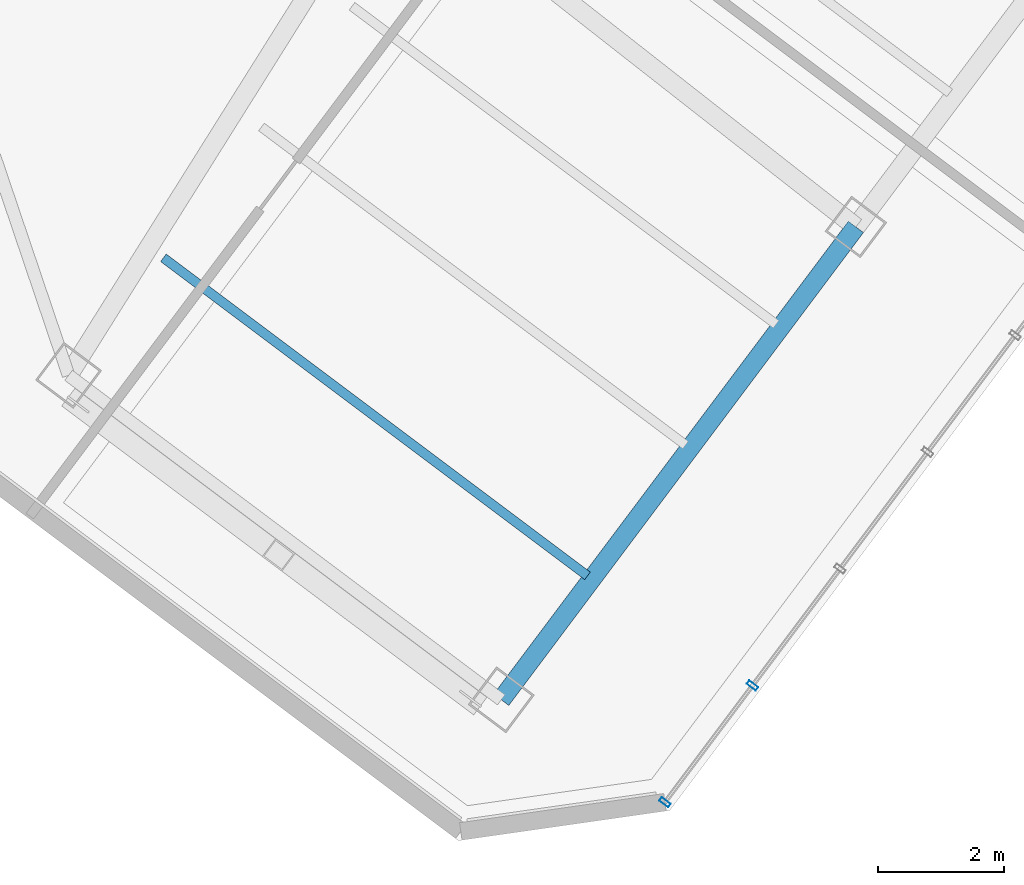
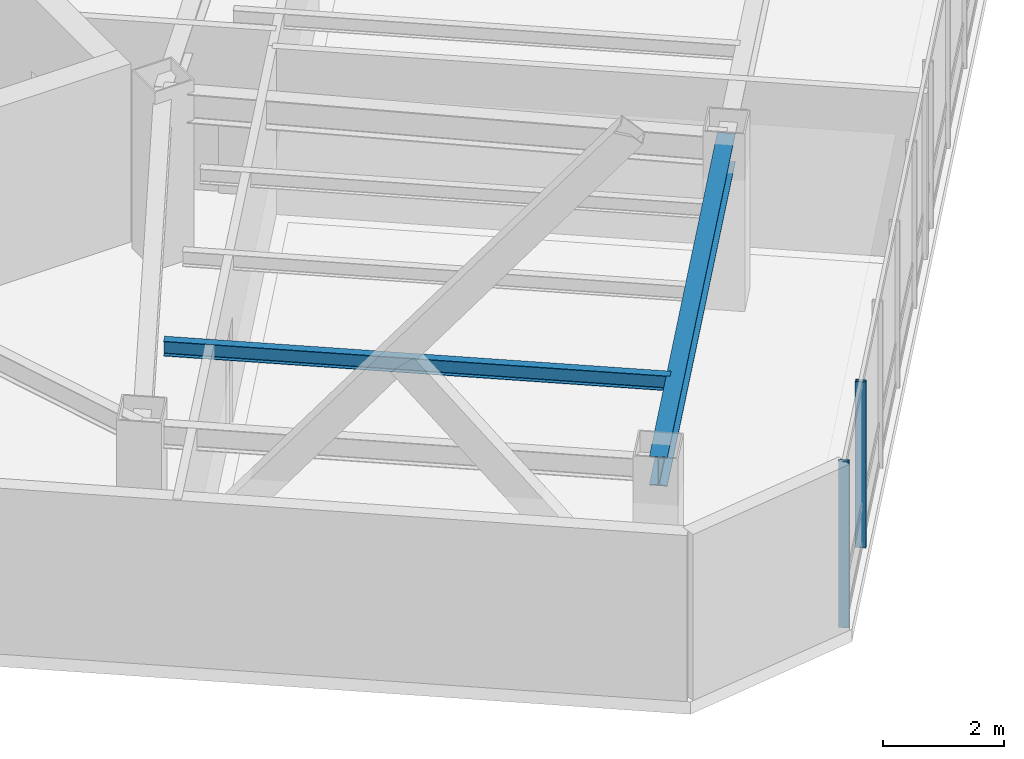
# One storey, part 2 of 24: 2 beams, 2 members, 1 element without a shape of its own.
"""IFC4 building model written with IfcOpenShell, lengths in metres."""

from ifc_helpers import new_model, si_unit, direction, frame, origin, origin_2d, place, context, subcontext, project, spatial, hollow_rectangle, i_section, extrude, material, layer, layer_set, material_profile, profile_set, type_object, element, aggregate, save


model = new_model("IFC4")

# Units and contexts
model_context = context("Model", 3, precision=1e-05, world=origin(), true_north=direction((0.0, 1.0)))
body_context = subcontext(model_context, "Body", "Model", "MODEL_VIEW")
ifc_project = project(units=[si_unit("LENGTHUNIT", "METRE"), si_unit("AREAUNIT", "SQUARE_METRE"), si_unit("VOLUMEUNIT", "CUBIC_METRE"), si_unit("PLANEANGLEUNIT", "RADIAN"), si_unit("MASSUNIT", "GRAM", prefix="KILO")], contexts=[model_context])

# Site, building, storey
site_placement = place(None, origin())
site = spatial("IfcSite", under=ifc_project, at=site_placement, CompositionType="ELEMENT")
building_placement = place(site_placement, origin())
building = spatial("IfcBuilding", under=site, at=building_placement, Name="Hatsunagi Terrace Concourse", CompositionType="ELEMENT")
storey_placement = place(building_placement, frame((0.0, 0.0, 202.35009765625)))
storey = spatial("IfcBuildingStorey", under=building, at=storey_placement, Name="L53", CompositionType="ELEMENT", Elevation=202.35009765625)

# Curtain wall, members
ifc_material_1 = material(Name="Anodised Aluminium Alloy 6063-T5", Category="aluminium")
ifc_layer = layer(ifc_material_1, 0.199951171875)
ifc_layer_set = layer_set([ifc_layer], Name="OfficeZone2_CW04")
curtain_wall_type = type_object("IfcCurtainWallType", Name="OfficeZone2_CW04", PredefinedType="NOTDEFINED", material=ifc_layer_set)
curtain_wall_placement = place(storey_placement, origin())
curtain_wall = element("IfcCurtainWall", 1, at=curtain_wall_placement, inside=storey, type_object=curtain_wall_type, Name="Unitised Curtain Wall CW-04 CW-L53-03", PredefinedType="NOTDEFINED")
ifc_material_2 = material(Name="Anodised Aluminium Alloy 6063-T5", Category="aluminium")
ifc_material_profile_1 = material_profile(ifc_material_2, hollow_rectangle(XDim=0.070068359375, YDim=0.179931640625, WallThickness=0.00390625, at=origin_2d()), Name="ALU-MUL-180x70x4")
ifc_profile_set_1 = profile_set([ifc_material_profile_1], Name="Anodised Aluminium Alloy 6063-T5")
member_type = type_object("IfcMemberType", Name="CurtainWallMullion_180x70", PredefinedType="MULLION", material=ifc_profile_set_1)
member_1_placement = place(storey_placement, frame((49.554931640625, 11.10595703125, 0.0), z_axis=(0.0, 0.0, 1.0), x_axis=(-0.599969314634, -0.800023013105, 0.0)))
member_1 = element("IfcMember", 2, at=member_1_placement, type_object=member_type, Name="Curtain Wall Mullion MUL-02", PredefinedType="MULLION", context=body_context, shape_type="SweptSolid", body=[
    extrude(hollow_rectangle(XDim=0.070068359375, YDim=0.179931640625, WallThickness=0.00390625, at=origin_2d()), origin(), (0.0, 0.0, 1.0), 3.349853515625),
])
member_2_placement = place(storey_placement, frame((48.1630859375, 9.25, 0.0), z_axis=(0.0, 0.0, 1.0), x_axis=(-0.599969314634, -0.800023013105, 0.0)))
member_2 = element("IfcMember", 3, at=member_2_placement, type_object=member_type, Name="Curtain Wall Mullion MUL-02", PredefinedType="MULLION", context=body_context, shape_type="SweptSolid", body=[
    extrude(hollow_rectangle(XDim=0.070068359375, YDim=0.179931640625, WallThickness=0.00390625, at=origin_2d()), origin(), (0.0, 0.0, 1.0), 3.349853515625),
])
aggregate(curtain_wall, [member_1, member_2])

# Beams
ifc_material_3 = material(Name="Steel SN490B", Category="steel")
ifc_material_profile_2 = material_profile(ifc_material_3, i_section(OverallWidth=0.300048828125, OverallDepth=0.587890625, WebThickness=0.011962890625, FlangeThickness=0.02001953125, FilletRadius=0.01806640625, at=origin_2d()), Name="H-588x300x12x20")
ifc_profile_set_2 = profile_set([ifc_material_profile_2], Name="Steel SN490B")
beam_type_1 = type_object("IfcBeamType", Name="OfficeHighGirder_H_588x300", PredefinedType="BEAM", material=ifc_profile_set_2)
beam_1_placement = place(storey_placement, frame((45.56005859375, 10.8798828125, 3.055908203125), z_axis=(0.599991688754, 0.800006233367, 0.0), x_axis=(-0.800006233367, 0.599991688754, 0.0)))
element("IfcBeam", 4, at=beam_1_placement, inside=storey, type_object=beam_type_1, Name="Beam G-06 BM-L53-SET-2A", PredefinedType="BEAM", context=body_context, shape_type="SweptSolid", body=[
    extrude(i_section(OverallWidth=0.300048828125, OverallDepth=0.587890625, WebThickness=0.011962890625, FlangeThickness=0.02001953125, FilletRadius=0.01806640625, at=origin_2d()), origin(), (0.0, 0.0, 1.0), 9.39990234375),
])
ifc_material_4 = material(Name="Steel SN490B", Category="steel")
ifc_material_profile_3 = material_profile(ifc_material_4, i_section(OverallWidth=0.14990234375, OverallDepth=0.300048828125, WebThickness=0.006591796875, FlangeThickness=0.009033203125, FilletRadius=0.010986328125, at=origin_2d()), Name="H-300x150x6.5x9")
ifc_profile_set_3 = profile_set([ifc_material_profile_3], Name="Steel SN490B")
beam_type_2 = type_object("IfcBeamType", Name="OfficeJoist_H_300x150", PredefinedType="JOIST", material=ifc_profile_set_3)
beam_2_placement = place(storey_placement, frame((40.18798828125, 17.908935546875, 3.199951171875), z_axis=(0.800003475366, -0.59999536615, 0.0), x_axis=(0.59999536615, 0.800003475366, 0.0)))
element("IfcBeam", 5, at=beam_2_placement, inside=storey, type_object=beam_type_2, Name="Beam J-03 J-L53-SE-2-46", PredefinedType="JOIST", context=body_context, shape_type="SweptSolid", body=[
    extrude(i_section(OverallWidth=0.14990234375, OverallDepth=0.300048828125, WebThickness=0.006591796875, FlangeThickness=0.009033203125, FilletRadius=0.010986328125, at=origin_2d()), origin(), (0.0, 0.0, 1.0), 8.429931640625),
])

save(model, "model.ifc")
